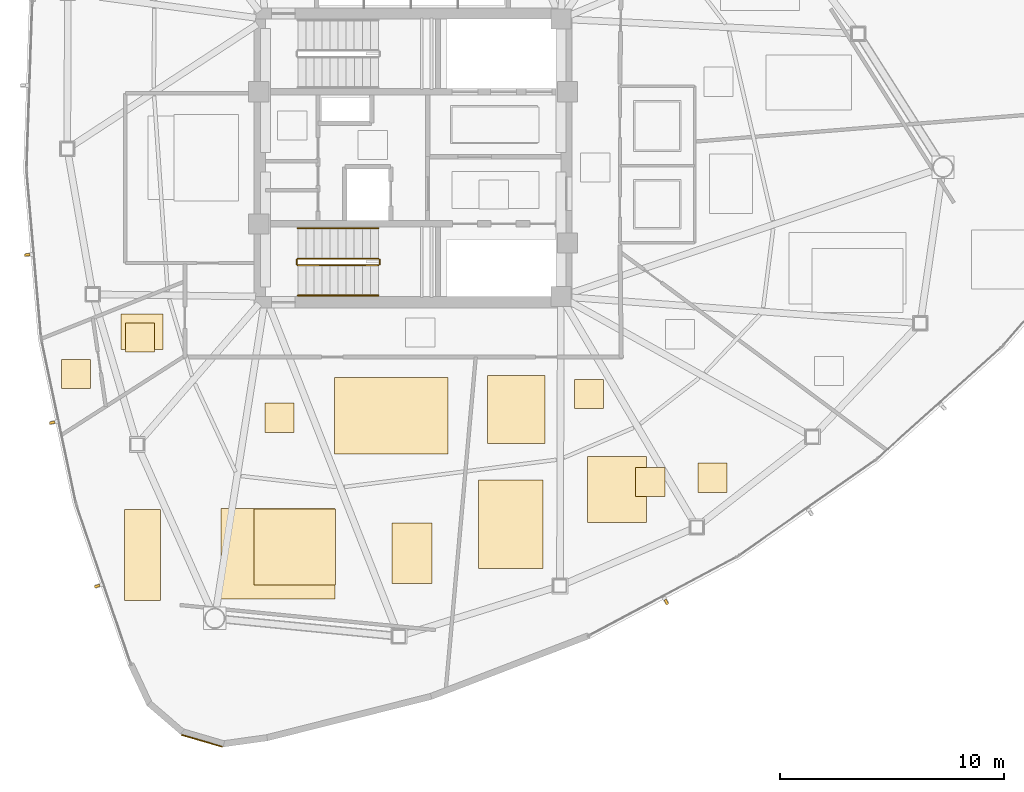
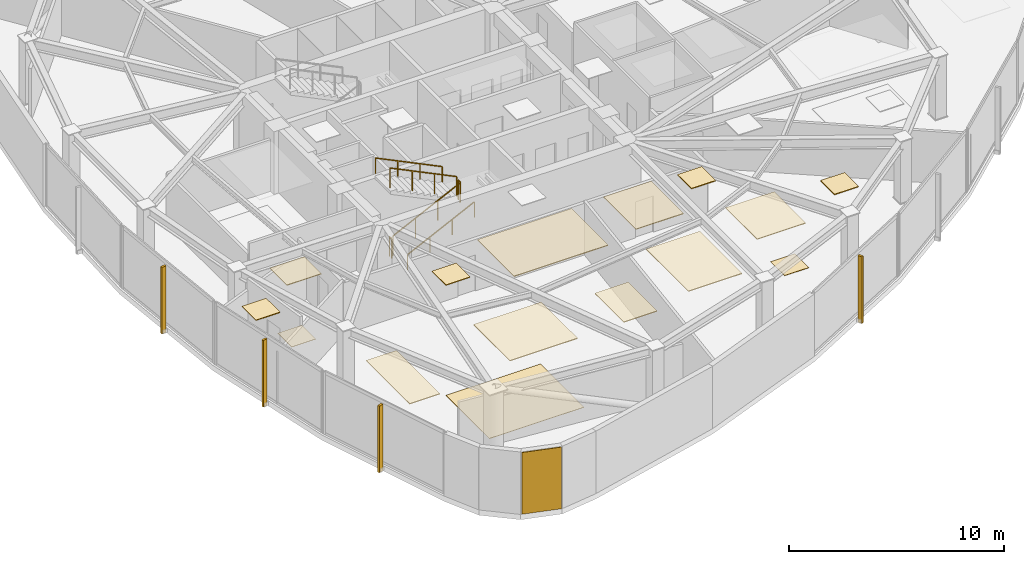
# One storey, part 14 of 17: 16 coverings, 6 railings, 4 shading devices.
"""IFC4 building model written with IfcOpenShell, lengths in metres."""

from ifc_helpers import new_model, si_unit, direction, frame, origin, origin_2d, place, context, subcontext, project, spatial, polyline, rectangle, outline, extrude, source, transform, mapped, material, layer, layer_set, type_object, type_shapes, element, save


model = new_model("IFC4")

# Units and contexts
model_context = context("Model", 3, precision=1e-05, world=origin(), true_north=direction((0.0, 1.0)))
body_context = subcontext(model_context, "Body", "Model", "MODEL_VIEW")
ifc_project = project(units=[si_unit("LENGTHUNIT", "METRE"), si_unit("AREAUNIT", "SQUARE_METRE"), si_unit("VOLUMEUNIT", "CUBIC_METRE"), si_unit("PLANEANGLEUNIT", "RADIAN"), si_unit("MASSUNIT", "GRAM", prefix="KILO")], contexts=[model_context])

# Site, building, storey
site_placement = place(None, origin())
site = spatial("IfcSite", under=ifc_project, at=site_placement, CompositionType="ELEMENT")
building_placement = place(site_placement, origin())
building = spatial("IfcBuilding", under=site, at=building_placement, Name="Tavelor Broadcast Tower", CompositionType="ELEMENT")
storey_placement = place(building_placement, frame((0.0, 0.0, 165.64990234375)))
storey = spatial("IfcBuildingStorey", under=building, at=storey_placement, Name="L39", CompositionType="ELEMENT", Elevation=165.64990234375)

# Covering
ifc_material_1 = material(Name="Copper-Bronze Anodized Aluminium", Category="aluminium")
ifc_layer_1 = layer(ifc_material_1, 0.050048828125)
ifc_layer_set_1 = layer_set([ifc_layer_1], Name="Copper-Bronze Anodized Aluminium")
covering_type_1 = type_object("IfcCoveringType", Name="Champagne-Bronze Corner Pier Metal Cladding 50 mm", PredefinedType="CLADDING", material=ifc_layer_set_1)
covering_1_placement = place(storey_placement, frame((40.564697265625, 18.953857421875, 0.02001953125), z_axis=(0.0, 0.0, 1.0), x_axis=(0.959559998631, -0.281504190071, 0.0)))
element("IfcCovering", 1, at=covering_1_placement, inside=storey, type_object=covering_type_1, Name="L39 Champagne-Bronze Corner Cladding 13", PredefinedType="CLADDING", context=body_context, shape_type="SweptSolid", body=[
    extrude(rectangle(XDim=1.889404296875, YDim=0.050048828125, at=origin_2d()), origin(), (0.0, 0.0, 1.0), 3.510009765625),
])

# Railings
ifc_material_2 = material(Name="Steel S355", Category="steel")
railing_type_1 = type_object("IfcRailingType", Name="Continuous Brushed Stainless Handrail 900 mm", PredefinedType="HANDRAIL", material=ifc_material_2)
railing_1_placement = place(storey_placement, frame((44.85009765625, 38.85009765625, 0.175048828125)))
element("IfcRailing", 2, at=railing_1_placement, inside=storey, type_object=railing_type_1, Name="L39 ST2 stair handrail 1", PredefinedType="HANDRAIL", context=body_context, shape_type="SweptSolid", body=[
    extrude(rectangle(XDim=0.048095703125, YDim=0.048095703125, at=origin_2d()), frame((0.0, 0.0, 0.8759765625), z_axis=(0.899360859046, 0.0, 0.437207096483), x_axis=(0.0, 1.0, 0.0)), (0.0, 0.0, 1.0), 4.002685546875),
    extrude(rectangle(XDim=0.0419921875, YDim=0.0419921875, at=origin_2d()), origin(), (0.0, 0.0, 1.0), 0.851806640625),
    extrude(rectangle(XDim=0.0419921875, YDim=0.0419921875, at=origin_2d()), frame((1.199951171875, 0.0, 0.583251953125)), (0.0, 0.0, 1.0), 0.851806640625),
    extrude(rectangle(XDim=0.0419921875, YDim=0.0419921875, at=origin_2d()), frame((2.39990234375, 0.0, 1.166748046875)), (0.0, 0.0, 1.0), 0.851806640625),
    extrude(rectangle(XDim=0.0419921875, YDim=0.0419921875, at=origin_2d()), frame((3.599853515625, 0.0, 1.75)), (0.0, 0.0, 1.0), 0.851806640625),
])
railing_2_placement = place(storey_placement, frame((48.449951171875, 41.85009765625, 2.10009765625)))
element("IfcRailing", 3, at=railing_2_placement, inside=storey, type_object=railing_type_1, Name="L39 ST2 stair handrail 2", PredefinedType="HANDRAIL", context=body_context, shape_type="SweptSolid", body=[
    extrude(rectangle(XDim=0.048095703125, YDim=0.048095703125, at=origin_2d()), frame((0.0, 0.0, 0.8759765625), z_axis=(-0.899360859046, 0.0, 0.437207096483), x_axis=(0.0, -1.0, 0.0)), (0.0, 0.0, 1.0), 4.002685546875),
    extrude(rectangle(XDim=0.0419921875, YDim=0.0419921875, at=origin_2d()), origin(), (0.0, 0.0, 1.0), 0.851806640625),
    extrude(rectangle(XDim=0.0419921875, YDim=0.0419921875, at=origin_2d()), frame((-1.199951171875, 0.0, 0.583251953125)), (0.0, 0.0, 1.0), 0.851806640625),
    extrude(rectangle(XDim=0.0419921875, YDim=0.0419921875, at=origin_2d()), frame((-2.39990234375, 0.0, 1.166748046875)), (0.0, 0.0, 1.0), 0.851806640625),
    extrude(rectangle(XDim=0.0419921875, YDim=0.0419921875, at=origin_2d()), frame((-3.599853515625, 0.0, 1.75)), (0.0, 0.0, 1.0), 0.851806640625),
])

# Coverings
ifc_material_3 = material(Name="Acoustic Nylon Carpet Tile")
ifc_layer_2 = layer(ifc_material_3, 0.02001953125)
ifc_layer_set_2 = layer_set([ifc_layer_2], Name="Acoustic Nylon Carpet Tile")
covering_type_2 = type_object("IfcCoveringType", Name="Heavy-Duty Acoustic Broadcast Carpet Tile 20 mm", PredefinedType="FLOORING", material=ifc_layer_set_2)
covering_2_placement = place(storey_placement, origin())
element("IfcCovering", 4, at=covering_2_placement, inside=storey, type_object=covering_type_2, Name="L39 Broadcast Floor Finish 0575", PredefinedType="FLOORING", context=body_context, shape_type="SweptSolid", body=[
    extrude(outline(polyline([(59.946044921875, 29.867431640625), (61.24609375, 29.867431640625), (61.24609375, 31.16748046875), (59.946044921875, 31.16748046875), (59.946044921875, 29.867431640625)])), origin(), (0.0, 0.0, 1.0), 0.02001953125),
])
covering_3_placement = place(storey_placement, origin())
element("IfcCovering", 5, at=covering_3_placement, inside=storey, type_object=covering_type_2, Name="L39 Broadcast Floor Finish 0576", PredefinedType="FLOORING", context=body_context, shape_type="SweptSolid", body=[
    extrude(outline(polyline([(41.41748046875, 25.282470703125), (46.510009765625, 25.282470703125), (46.510009765625, 29.33544921875), (41.41748046875, 29.33544921875), (41.41748046875, 25.282470703125)])), origin(), (0.0, 0.0, 1.0), 0.02001953125),
])
covering_4_placement = place(storey_placement, origin())
element("IfcCovering", 6, at=covering_4_placement, inside=storey, type_object=covering_type_2, Name="L39 Broadcast Floor Finish 0580", PredefinedType="FLOORING", context=body_context, shape_type="SweptSolid", body=[
    extrude(outline(polyline([(37.154052734375, 36.326171875), (38.4541015625, 36.326171875), (38.4541015625, 37.626220703125), (37.154052734375, 37.626220703125), (37.154052734375, 36.326171875)])), origin(), (0.0, 0.0, 1.0), 0.02001953125),
])

# Railings
railing_type_2 = type_object("IfcRailingType", Name="Stairwell Steel Safety Guardrail 1150 mm", PredefinedType="GUARDRAIL", material=ifc_material_2)
railing_3_placement = place(storey_placement, frame((44.85009765625, 40.199951171875, 0.175048828125)))
element("IfcRailing", 7, at=railing_3_placement, inside=storey, type_object=railing_type_2, Name="L39 ST2 stair guard 1", PredefinedType="GUARDRAIL", context=body_context, shape_type="SweptSolid", body=[
    extrude(rectangle(XDim=0.048095703125, YDim=0.048095703125, at=origin_2d()), frame((0.0, 0.0, 1.1259765625), z_axis=(0.899360859046, 0.0, 0.437207096483), x_axis=(0.0, 1.0, 0.0)), (0.0, 0.0, 1.0), 4.002685546875),
    extrude(rectangle(XDim=0.0419921875, YDim=0.0419921875, at=origin_2d()), origin(), (0.0, 0.0, 1.0), 1.101806640625),
    extrude(rectangle(XDim=0.0419921875, YDim=0.0419921875, at=origin_2d()), frame((1.199951171875, 0.0, 0.583251953125)), (0.0, 0.0, 1.0), 1.101806640625),
    extrude(rectangle(XDim=0.0419921875, YDim=0.0419921875, at=origin_2d()), frame((2.39990234375, 0.0, 1.166748046875)), (0.0, 0.0, 1.0), 1.101806640625),
    extrude(rectangle(XDim=0.0419921875, YDim=0.0419921875, at=origin_2d()), frame((3.599853515625, 0.0, 1.75)), (0.0, 0.0, 1.0), 1.101806640625),
])
railing_4_placement = place(storey_placement, frame((48.5, 40.25, 1.925048828125)))
element("IfcRailing", 8, at=railing_4_placement, inside=storey, type_object=railing_type_2, Name="L39 ST2 stair guard 2", PredefinedType="GUARDRAIL", context=body_context, shape_type="SweptSolid", body=[
    extrude(rectangle(XDim=0.048095703125, YDim=0.048095703125, at=origin_2d()), frame((0.0, 0.0, 1.1259765625), z_axis=(0.0, 1.0, 0.0), x_axis=(-1.0, 0.0, 0.0)), (0.0, 0.0, 1.0), 0.199951171875),
    extrude(rectangle(XDim=0.0419921875, YDim=0.0419921875, at=origin_2d()), origin(), (0.0, 0.0, 1.0), 1.101806640625),
    extrude(rectangle(XDim=0.0419921875, YDim=0.0419921875, at=origin_2d()), frame((0.0, 0.199951171875, 0.0)), (0.0, 0.0, 1.0), 1.101806640625),
])
railing_5_placement = place(storey_placement, frame((48.449951171875, 40.5, 2.10009765625)))
element("IfcRailing", 9, at=railing_5_placement, inside=storey, type_object=railing_type_2, Name="L39 ST2 stair guard 3", PredefinedType="GUARDRAIL", context=body_context, shape_type="SweptSolid", body=[
    extrude(rectangle(XDim=0.048095703125, YDim=0.048095703125, at=origin_2d()), frame((0.0, 0.0, 1.1259765625), z_axis=(-0.899360859046, 0.0, 0.437207096483), x_axis=(0.0, -1.0, 0.0)), (0.0, 0.0, 1.0), 4.002685546875),
    extrude(rectangle(XDim=0.0419921875, YDim=0.0419921875, at=origin_2d()), origin(), (0.0, 0.0, 1.0), 1.101806640625),
    extrude(rectangle(XDim=0.0419921875, YDim=0.0419921875, at=origin_2d()), frame((-1.199951171875, 0.0, 0.583251953125)), (0.0, 0.0, 1.0), 1.101806640625),
    extrude(rectangle(XDim=0.0419921875, YDim=0.0419921875, at=origin_2d()), frame((-2.39990234375, 0.0, 1.166748046875)), (0.0, 0.0, 1.0), 1.101806640625),
    extrude(rectangle(XDim=0.0419921875, YDim=0.0419921875, at=origin_2d()), frame((-3.599853515625, 0.0, 1.75)), (0.0, 0.0, 1.0), 1.101806640625),
])
railing_6_placement = place(storey_placement, frame((44.800048828125, 40.25, 0.0)))
element("IfcRailing", 10, at=railing_6_placement, inside=storey, type_object=railing_type_2, Name="L39 ST2 stair guard 4", PredefinedType="GUARDRAIL", context=body_context, shape_type="SweptSolid", body=[
    extrude(rectangle(XDim=0.048095703125, YDim=0.048095703125, at=origin_2d()), frame((0.0, 0.0, 1.1259765625), z_axis=(0.0, 1.0, 0.0), x_axis=(-1.0, 0.0, 0.0)), (0.0, 0.0, 1.0), 0.199951171875),
    extrude(rectangle(XDim=0.0419921875, YDim=0.0419921875, at=origin_2d()), origin(), (0.0, 0.0, 1.0), 1.101806640625),
    extrude(rectangle(XDim=0.0419921875, YDim=0.0419921875, at=origin_2d()), frame((0.0, 0.199951171875, 0.0)), (0.0, 0.0, 1.0), 1.101806640625),
])

# Coverings
ifc_material_4 = material(Name="Acoustic Mineral Fibre Tile")
ifc_layer_3 = layer(ifc_material_4, 0.0400390625)
ifc_layer_set_3 = layer_set([ifc_layer_3], Name="Acoustic Mineral Fibre Tile")
covering_type_3 = type_object("IfcCoveringType", Name="Suspended Acoustic Mineral-Fibre Office Ceiling 40 mm", PredefinedType="CEILING", material=ifc_layer_set_3)
covering_5_placement = place(storey_placement, frame((0.0, 0.0, 3.510009765625)))
element("IfcCovering", 11, at=covering_5_placement, inside=storey, type_object=covering_type_3, Name="L39 Suspended Acoustic Ceiling 1623", PredefinedType="CEILING", context=body_context, shape_type="SweptSolid", body=[
    extrude(outline(polyline([(52.917236328125, 26.654052734375), (55.805908203125, 26.654052734375), (55.805908203125, 30.59716796875), (52.917236328125, 30.59716796875), (52.917236328125, 26.654052734375)])), origin(), (0.0, 0.0, 1.0), 0.0400390625),
])
covering_6_placement = place(storey_placement, frame((0.0, 0.0, 3.510009765625)))
element("IfcCovering", 12, at=covering_6_placement, inside=storey, type_object=covering_type_3, Name="L39 Suspended Acoustic Ceiling 1624", PredefinedType="CEILING", context=body_context, shape_type="SweptSolid", body=[
    extrude(outline(polyline([(53.3173828125, 32.235107421875), (55.88232421875, 32.235107421875), (55.88232421875, 35.26416015625), (53.3173828125, 35.26416015625), (53.3173828125, 32.235107421875)])), origin(), (0.0, 0.0, 1.0), 0.0400390625),
])
covering_7_placement = place(storey_placement, frame((0.0, 0.0, 3.510009765625)))
element("IfcCovering", 13, at=covering_7_placement, inside=storey, type_object=covering_type_3, Name="L39 Suspended Acoustic Ceiling 1625", PredefinedType="CEILING", context=body_context, shape_type="SweptSolid", body=[
    extrude(outline(polyline([(57.20849609375, 33.800048828125), (58.508544921875, 33.800048828125), (58.508544921875, 35.10009765625), (57.20849609375, 35.10009765625), (57.20849609375, 33.800048828125)])), origin(), (0.0, 0.0, 1.0), 0.0400390625),
])
covering_8_placement = place(storey_placement, frame((0.0, 0.0, 3.510009765625)))
element("IfcCovering", 14, at=covering_8_placement, inside=storey, type_object=covering_type_3, Name="L39 Suspended Acoustic Ceiling 1626", PredefinedType="CEILING", context=body_context, shape_type="SweptSolid", body=[
    extrude(outline(polyline([(62.7353515625, 30.05615234375), (64.035400390625, 30.05615234375), (64.035400390625, 31.356201171875), (62.7353515625, 31.356201171875), (62.7353515625, 30.05615234375)])), origin(), (0.0, 0.0, 1.0), 0.0400390625),
])
covering_9_placement = place(storey_placement, frame((0.0, 0.0, 3.510009765625)))
element("IfcCovering", 15, at=covering_9_placement, inside=storey, type_object=covering_type_3, Name="L39 Suspended Acoustic Ceiling 1627", PredefinedType="CEILING", context=body_context, shape_type="SweptSolid", body=[
    extrude(outline(polyline([(57.80078125, 28.716064453125), (60.418212890625, 28.716064453125), (60.418212890625, 31.65087890625), (57.80078125, 31.65087890625), (57.80078125, 28.716064453125)])), origin(), (0.0, 0.0, 1.0), 0.0400390625),
])
covering_10_placement = place(storey_placement, frame((0.0, 0.0, 3.510009765625)))
element("IfcCovering", 16, at=covering_10_placement, inside=storey, type_object=covering_type_3, Name="L39 Suspended Acoustic Ceiling 1628", PredefinedType="CEILING", context=body_context, shape_type="SweptSolid", body=[
    extrude(outline(polyline([(46.48876953125, 31.765625), (51.5537109375, 31.765625), (51.5537109375, 35.1875), (46.48876953125, 35.1875), (46.48876953125, 31.765625)])), origin(), (0.0, 0.0, 1.0), 0.0400390625),
])
covering_11_placement = place(storey_placement, frame((0.0, 0.0, 3.510009765625)))
element("IfcCovering", 17, at=covering_11_placement, inside=storey, type_object=covering_type_3, Name="L39 Suspended Acoustic Ceiling 1629", PredefinedType="CEILING", context=body_context, shape_type="SweptSolid", body=[
    extrude(outline(polyline([(49.0546875, 25.985595703125), (50.84716796875, 25.985595703125), (50.84716796875, 28.692138671875), (49.0546875, 28.692138671875), (49.0546875, 25.985595703125)])), origin(), (0.0, 0.0, 1.0), 0.0400390625),
])
covering_12_placement = place(storey_placement, frame((0.0, 0.0, 3.510009765625)))
element("IfcCovering", 18, at=covering_12_placement, inside=storey, type_object=covering_type_3, Name="L39 Suspended Acoustic Ceiling 1630", PredefinedType="CEILING", context=body_context, shape_type="SweptSolid", body=[
    extrude(outline(polyline([(42.8876953125, 25.924560546875), (46.53515625, 25.924560546875), (46.53515625, 29.311279296875), (42.8876953125, 29.311279296875), (42.8876953125, 25.924560546875)])), origin(), (0.0, 0.0, 1.0), 0.0400390625),
])
covering_13_placement = place(storey_placement, frame((0.0, 0.0, 3.510009765625)))
element("IfcCovering", 19, at=covering_13_placement, inside=storey, type_object=covering_type_3, Name="L39 Suspended Acoustic Ceiling 1631", PredefinedType="CEILING", context=body_context, shape_type="SweptSolid", body=[
    extrude(outline(polyline([(37.094970703125, 25.225341796875), (38.72216796875, 25.225341796875), (38.72216796875, 29.282958984375), (37.094970703125, 29.282958984375), (37.094970703125, 25.225341796875)])), origin(), (0.0, 0.0, 1.0), 0.0400390625),
])
covering_14_placement = place(storey_placement, frame((0.0, 0.0, 3.510009765625)))
element("IfcCovering", 20, at=covering_14_placement, inside=storey, type_object=covering_type_3, Name="L39 Suspended Acoustic Ceiling 1632", PredefinedType="CEILING", context=body_context, shape_type="SweptSolid", body=[
    extrude(outline(polyline([(43.381591796875, 32.73583984375), (44.681640625, 32.73583984375), (44.681640625, 34.035888671875), (43.381591796875, 34.035888671875), (43.381591796875, 32.73583984375)])), origin(), (0.0, 0.0, 1.0), 0.0400390625),
])
covering_15_placement = place(storey_placement, frame((0.0, 0.0, 3.510009765625)))
element("IfcCovering", 21, at=covering_15_placement, inside=storey, type_object=covering_type_3, Name="L39 Suspended Acoustic Ceiling 1633", PredefinedType="CEILING", context=body_context, shape_type="SweptSolid", body=[
    extrude(outline(polyline([(34.2880859375, 34.68359375), (35.588134765625, 34.68359375), (35.588134765625, 35.983642578125), (34.2880859375, 35.983642578125), (34.2880859375, 34.68359375)])), origin(), (0.0, 0.0, 1.0), 0.0400390625),
])
covering_16_placement = place(storey_placement, frame((0.0, 0.0, 3.510009765625)))
element("IfcCovering", 22, at=covering_16_placement, inside=storey, type_object=covering_type_3, Name="L39 Suspended Acoustic Ceiling 1649", PredefinedType="CEILING", context=body_context, shape_type="SweptSolid", body=[
    extrude(outline(polyline([(36.958740234375, 36.43310546875), (38.82080078125, 36.43310546875), (38.82080078125, 38.0283203125), (36.958740234375, 38.0283203125), (36.958740234375, 36.43310546875)])), origin(), (0.0, 0.0, 1.0), 0.0400390625),
])

# Shading devices
ifc_material_5 = material(Name="Kiln-Fired Glazed Terracotta", Category="masonry")
shading_device_type = type_object("IfcShadingDeviceType", Name="Extruded Terracotta Baguette Sun-Screen 110x240", PredefinedType="JALOUSIE", material=ifc_material_5)
shared_shape = source(origin(), body_context, "Body", "SweptSolid", [
    extrude(rectangle(XDim=0.110107421875, YDim=0.239990234375, at=origin_2d()), origin(), (0.0, 0.0, 1.0), 3.7900390625),
])
type_shapes(shading_device_type, [shared_shape])
for number, where, z_axis, x_axis, name in (
    (23, (32.756103515625, 40.6640625, -0.260009765625), (0.0, 0.0, 1.0), (0.086807999895, -0.996225060493, 0.0), "L39 Terracotta Baguette Fin 398"),
    (24, (33.86962890625, 33.16845703125, -0.260009765625), (0.0, 0.0, 1.0), (0.206716503214, -0.978400882716, 0.0), "L39 Terracotta Baguette Fin 399"),
    (25, (35.882080078125, 25.86279296875, -0.260009765625), (0.0, 0.0, 1.0), (0.32358715238, -0.946198369695, 0.0), "L39 Terracotta Baguette Fin 400"),
    (26, (61.31591796875, 25.1572265625, -0.260009765625), (0.0, 0.0, 1.0), (0.88278366258, 0.46977974103, 0.0), "L39 Terracotta Baguette Fin 401"),
):
    element("IfcShadingDevice", number, at=place(storey_placement, frame(where, z_axis=z_axis, x_axis=x_axis)), inside=storey, type_object=shading_device_type, Name=name, PredefinedType="JALOUSIE", context=body_context, shape_type="MappedRepresentation", body=[
        mapped(shared_shape, transform((0.0, 0.0, 0.0), scale=1.0)),
    ])

save(model, "model.ifc")
